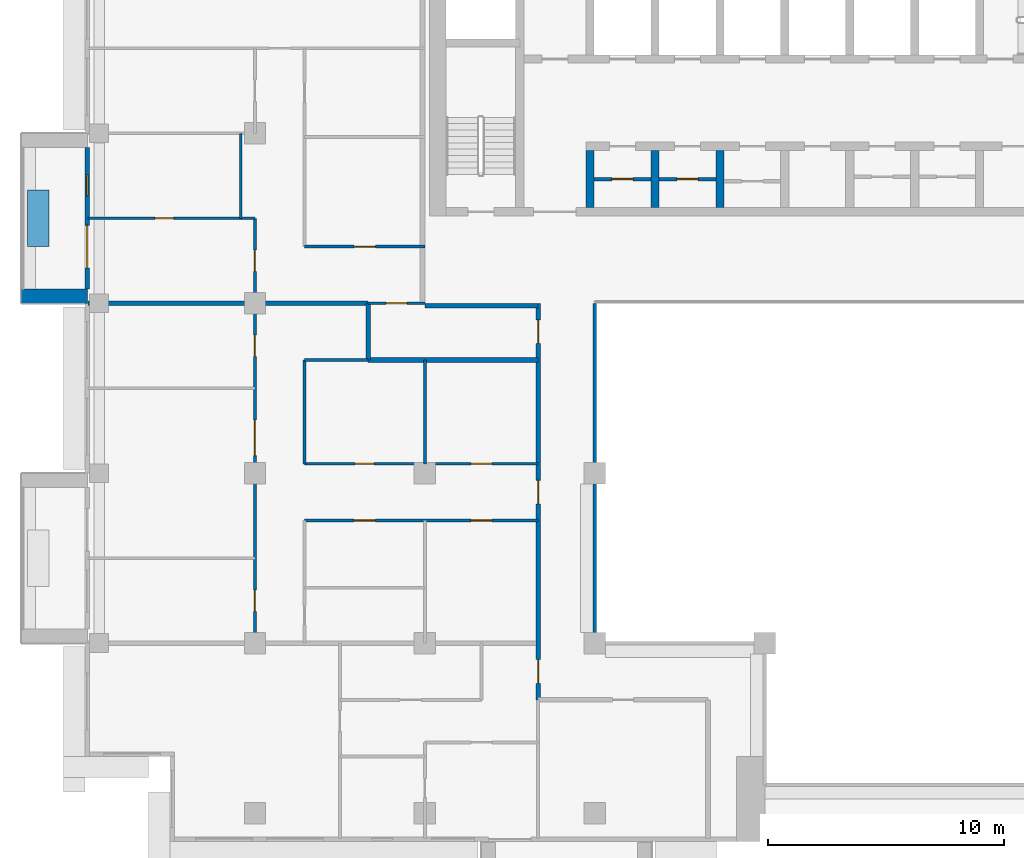
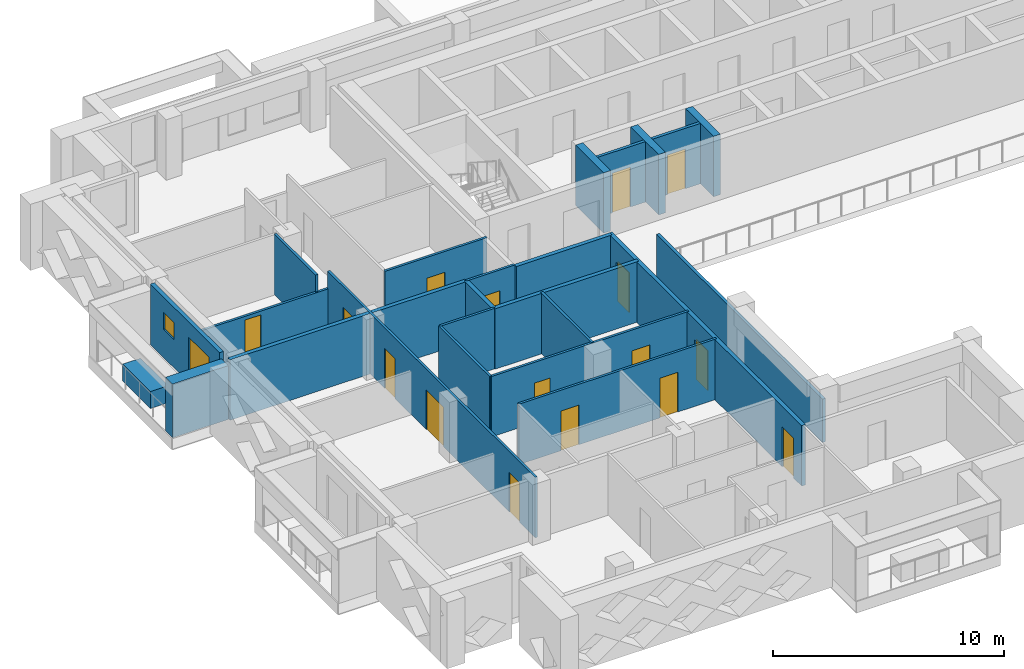
# One storey, part 7 of 20: 24 walls, 17 doors, 1 window, 18 openings.
"""IFC4 building model written with IfcOpenShell, lengths in metres."""

from ifc_helpers import new_model, si_unit, direction, frame, frame_2d, origin, place, context, subcontext, project, spatial, rectangle, extrude, material, layer, layer_set, type_object, element, fill, save


model = new_model("IFC4")

# Units and contexts
model_context = context("Model", 3, precision=1e-05, world=origin(), true_north=direction((0.0, 1.0)))
body_context = subcontext(model_context, "Body", "Model", "MODEL_VIEW")
ifc_project = project(units=[si_unit("LENGTHUNIT", "METRE"), si_unit("AREAUNIT", "SQUARE_METRE"), si_unit("VOLUMEUNIT", "CUBIC_METRE"), si_unit("PLANEANGLEUNIT", "RADIAN"), si_unit("MASSUNIT", "GRAM", prefix="KILO")], contexts=[model_context])

# Site, building, storey
site_placement = place(None, origin())
site = spatial("IfcSite", under=ifc_project, at=site_placement, CompositionType="ELEMENT")
building_placement = place(site_placement, origin())
building = spatial("IfcBuilding", under=site, at=building_placement, Name="Saffron Iwan Residences", CompositionType="ELEMENT")
storey_placement = place(building_placement, frame((0.0, 0.0, 195.5)))
storey = spatial("IfcBuildingStorey", under=building, at=storey_placement, Name="L52", CompositionType="ELEMENT", Elevation=195.5)

# Walls
ifc_material_1 = material(Name="Fire-rated glazing", Category="glass")
ifc_layer_1 = layer(ifc_material_1, 0.14990234375)
ifc_layer_set_1 = layer_set([ifc_layer_1], Name="Fire-rated glazing")
wall_type_1 = type_object("IfcWallType", Name="Atrium glazed screen 150", PredefinedType="SOLIDWALL", material=ifc_layer_set_1)
wall_1_placement = place(storey_placement, frame((36.0, 48.0, 0.0), z_axis=(0.0, 0.0, 1.0), x_axis=(0.0, 1.0, 0.0)))
element("IfcWall", 1, at=wall_1_placement, inside=storey, type_object=wall_type_1, Name="W-L52-SCREEN-v36-48", PredefinedType="SOLIDWALL", context=body_context, shape_type="SweptSolid", body=[
    extrude(rectangle(XDim=14.39990234375, YDim=0.14990234375, at=frame_2d((7.199951171875, 0.0))), origin(), (0.0, 0.0, 1.0), 2.300048828125),
])
ifc_material_2 = material(Name="Concrete C50/60 white painted", Category="concrete")
ifc_layer_2 = layer(ifc_material_2, 0.60009765625)
ifc_layer_set_2 = layer_set([ifc_layer_2], Name="Concrete C50/60 white painted")
wall_type_2 = type_object("IfcWallType", Name="BALCONY FIN 600", PredefinedType="SOLIDWALL", material=ifc_layer_set_2)
wall_2_placement = place(storey_placement, frame((14.5, 62.699951171875, 0.0), z_axis=(0.0, 0.0, 1.0), x_axis=(-1.0, 0.0, 0.0)))
element("IfcWall", 2, at=wall_2_placement, inside=storey, type_object=wall_type_2, Name="Balcony fin L52 F8-0b", PredefinedType="SOLIDWALL", context=body_context, shape_type="SweptSolid", body=[
    extrude(rectangle(XDim=2.800048828125, YDim=0.60009765625, at=frame_2d((1.39990234375, 0.0))), origin(), (0.0, 0.0, 1.0), 2.85009765625),
])
ifc_material_3 = material(Name="Concrete C35/45 white painted", Category="concrete")
ifc_layer_3 = layer(ifc_material_3, 0.14990234375)
ifc_layer_set_3 = layer_set([ifc_layer_3], Name="Concrete C35/45 white painted")
wall_type_3 = type_object("IfcWallType", Name="BALCONY PLANTER", PredefinedType="SOLIDWALL", material=ifc_layer_set_3)
wall_3_placement = place(storey_placement, frame((12.425048828125, 67.199951171875, 0.0), z_axis=(0.0, 0.0, 1.0), x_axis=(0.0, -1.0, 0.0)))
element("IfcWall", 3, at=wall_3_placement, inside=storey, type_object=wall_type_3, Name="PLANTER L52 F8-0", PredefinedType="SOLIDWALL", context=body_context, shape_type="SweptSolid", body=[
    extrude(rectangle(XDim=2.39990234375, YDim=0.89990234375, at=frame_2d((1.199951171875, 0.0))), origin(), (0.0, 0.0, 1.0), 0.89990234375),
])

# Wall, opening, door
ifc_material_4 = material(Name="Fire-rated plasterboard partition")
ifc_layer_4 = layer(ifc_material_4, 0.14990234375)
ifc_layer_set_4 = layer_set([ifc_layer_4], Name="Fire-rated plasterboard partition")
wall_type_4 = type_object("IfcWallType", Name="Core partition 150", PredefinedType="PARTITIONING", material=ifc_layer_set_4)
wall_4_placement = place(storey_placement, frame((35.97509765625, 67.66259765625, 0.0), z_axis=(0.0, 0.0, 1.0), x_axis=(1.0, 0.0, 0.0)))
wall_4 = element("IfcWall", 4, at=wall_4_placement, inside=storey, type_object=wall_type_4, Name="Core partition P01", PredefinedType="PARTITIONING", context=body_context, shape_type="SweptSolid", body=[
    extrude(rectangle(XDim=2.39990234375, YDim=0.14990234375, at=frame_2d((1.199951171875, 0.0))), origin(), (0.0, 0.0, 1.0), 3.199951171875),
])
opening_1_placement = place(wall_4_placement, frame((0.75, 0.0, 0.0)))
opening_1 = element("IfcOpeningElement", 5, at=opening_1_placement, cuts=wall_4, Name="Opening SB", PredefinedType="OPENING", context=body_context, shape_type="SweptSolid", body=[
    extrude(rectangle(XDim=0.89990234375, YDim=2.10009765625, at=frame_2d((0.449951171875, 1.050048828125))), frame((0.0, 0.0849609375, 0.0), z_axis=(0.0, -1.0, 0.0), x_axis=(1.0, 0.0, 0.0)), (0.0, 0.0, 1.0), 0.169921875),
])
ifc_material_5 = material(Name="Steel fire door", Category="steel")
door_type_1 = type_object("IfcDoorType", Name="Store door 900", OperationType="NOTDEFINED", PredefinedType="DOOR", material=ifc_material_5)
door_1_placement = place(opening_1_placement, origin())
door_1 = element("IfcDoor", 6, at=door_1_placement, inside=storey, type_object=door_type_1, Name="Door Spares store", OperationType="SINGLE_SWING_RIGHT", OverallHeight=2.10009765625, OverallWidth=0.89990234375, PredefinedType="DOOR", context=body_context, shape_type="SweptSolid", body=[
    extrude(rectangle(XDim=0.89990234375, YDim=2.10009765625, at=frame_2d((0.449951171875, 1.050048828125))), frame((0.0, 0.02490234375, 0.0), z_axis=(0.0, -1.0, 0.0), x_axis=(1.0, 0.0, 0.0)), (0.0, 0.0, 1.0), 0.050048828125),
])
fill(opening_1, door_1)

wall_5_placement = place(storey_placement, frame((38.72509765625, 67.66259765625, 0.0), z_axis=(0.0, 0.0, 1.0), x_axis=(1.0, 0.0, 0.0)))
wall_5 = element("IfcWall", 7, at=wall_5_placement, inside=storey, type_object=wall_type_4, Name="Core partition P02", PredefinedType="PARTITIONING", context=body_context, shape_type="SweptSolid", body=[
    extrude(rectangle(XDim=2.39990234375, YDim=0.14990234375, at=frame_2d((1.199951171875, 0.0))), origin(), (0.0, 0.0, 1.0), 3.199951171875),
])
opening_2_placement = place(wall_5_placement, frame((0.75, 0.0, 0.0)))
opening_2 = element("IfcOpeningElement", 8, at=opening_2_placement, cuts=wall_5, Name="Opening SB", PredefinedType="OPENING", context=body_context, shape_type="SweptSolid", body=[
    extrude(rectangle(XDim=0.89990234375, YDim=2.10009765625, at=frame_2d((0.449951171875, 1.050048828125))), frame((0.0, 0.0849609375, 0.0), z_axis=(0.0, -1.0, 0.0), x_axis=(1.0, 0.0, 0.0)), (0.0, 0.0, 1.0), 0.169921875),
])
door_2_placement = place(opening_2_placement, origin())
door_2 = element("IfcDoor", 9, at=door_2_placement, inside=storey, type_object=door_type_1, Name="Door Battery room", OperationType="SINGLE_SWING_LEFT", OverallHeight=2.10009765625, OverallWidth=0.89990234375, PredefinedType="DOOR", context=body_context, shape_type="SweptSolid", body=[
    extrude(rectangle(XDim=0.89990234375, YDim=2.10009765625, at=frame_2d((0.449951171875, 1.050048828125))), frame((0.0, 0.02490234375, 0.0), z_axis=(0.0, -1.0, 0.0), x_axis=(1.0, 0.0, 0.0)), (0.0, 0.0, 1.0), 0.050048828125),
])
fill(opening_2, door_2)

# Wall, openings, door, window
ifc_material_6 = material(Name="Concrete C40/50", Category="concrete")
ifc_layer_5 = layer(ifc_material_6, 0.199951171875)
ifc_layer_set_5 = layer_set([ifc_layer_5], Name="Concrete C40/50")
wall_type_5 = type_object("IfcWallType", Name="EXTERNAL WALL 200", PredefinedType="SOLIDWALL", material=ifc_layer_set_5)
wall_6_placement = place(storey_placement, frame((14.5, 69.0, 0.0), z_axis=(0.0, 0.0, 1.0), x_axis=(0.0, -1.0, 0.0)))
wall_6 = element("IfcWall", 10, at=wall_6_placement, inside=storey, type_object=wall_type_5, Name="External wall L52 F8.1", PredefinedType="SOLIDWALL", context=body_context, shape_type="SweptSolid", body=[
    extrude(rectangle(XDim=6.0, YDim=0.199951171875, at=frame_2d((3.0, 0.0))), origin(), (0.0, 0.0, 1.0), 3.199951171875),
])
opening_3_placement = place(wall_6_placement, frame((3.300048828125, 0.0, 0.0)))
opening_3 = element("IfcOpeningElement", 11, at=opening_3_placement, cuts=wall_6, Name="Opening BD1", PredefinedType="OPENING", context=body_context, shape_type="SweptSolid", body=[
    extrude(rectangle(XDim=1.800048828125, YDim=2.39990234375, at=frame_2d((0.89990234375, 1.199951171875))), frame((0.0, 0.10986328125, 0.0), z_axis=(0.0, -1.0, 0.0), x_axis=(1.0, 0.0, 0.0)), (0.0, 0.0, 1.0), 0.219970703125),
])
opening_4_placement = place(wall_6_placement, frame((1.14990234375, 0.0, 1.5)))
opening_4 = element("IfcOpeningElement", 12, at=opening_4_placement, cuts=wall_6, Name="Opening W6", PredefinedType="OPENING", context=body_context, shape_type="SweptSolid", body=[
    extrude(rectangle(XDim=0.89990234375, YDim=0.89990234375, at=frame_2d((0.449951171875, 0.449951171875))), frame((0.0, 0.10986328125, 0.0), z_axis=(0.0, -1.0, 0.0), x_axis=(1.0, 0.0, 0.0)), (0.0, 0.0, 1.0), 0.219970703125),
])
ifc_material_7 = material(Name="Clear glass, laminated double glazed", Category="glass")
door_type_2 = type_object("IfcDoorType", Name="BALCONY DOOR 1800 x 2400", OperationType="DOUBLE_DOOR_SLIDING", PredefinedType="DOOR", material=ifc_material_7)
door_3_placement = place(opening_3_placement, origin())
door_3 = element("IfcDoor", 13, at=door_3_placement, inside=storey, type_object=door_type_2, Name="Balcony door L52 F8.0", OperationType="DOUBLE_DOOR_SLIDING", OverallHeight=2.39990234375, OverallWidth=1.800048828125, PredefinedType="DOOR", context=body_context, shape_type="SweptSolid", body=[
    extrude(rectangle(XDim=1.800048828125, YDim=2.39990234375, at=frame_2d((0.89990234375, 1.199951171875))), frame((0.0, 0.02490234375, 0.0), z_axis=(0.0, -1.0, 0.0), x_axis=(1.0, 0.0, 0.0)), (0.0, 0.0, 1.0), 0.050048828125),
])
fill(opening_3, door_3)
window_type = type_object("IfcWindowType", Name="WINDOW 900 x 900 BATH", PartitioningType="SINGLE_PANEL", PredefinedType="WINDOW", material=ifc_material_7)
window_placement = place(opening_4_placement, origin())
window = element("IfcWindow", 14, at=window_placement, inside=storey, type_object=window_type, Name="Window L52 F8.1", OverallHeight=0.89990234375, OverallWidth=0.89990234375, PartitioningType="SINGLE_PANEL", PredefinedType="WINDOW", context=body_context, shape_type="SweptSolid", body=[
    extrude(rectangle(XDim=0.89990234375, YDim=0.89990234375, at=frame_2d((0.449951171875, 0.449951171875))), frame((0.0, 0.030029296875, 0.0), z_axis=(0.0, -1.0, 0.0), x_axis=(1.0, 0.0, 0.0)), (0.0, 0.0, 1.0), 0.06005859375),
])
fill(opening_4, window)

# Walls
ifc_material_8 = material(Name="Fire-rated gypsum board wall")
ifc_layer_6 = layer(ifc_material_8, 0.199951171875)
ifc_layer_set_6 = layer_set([ifc_layer_6], Name="Fire-rated gypsum board wall")
wall_type_6 = type_object("IfcWallType", Name="Flat demising wall 200", PredefinedType="SOLIDWALL", material=ifc_layer_set_6)
wall_7_placement = place(storey_placement, frame((26.39990234375, 60.0, 0.0), z_axis=(0.0, 0.0, 1.0), x_axis=(1.0, 0.0, 0.0)))
element("IfcWall", 15, at=wall_7_placement, inside=storey, type_object=wall_type_6, Name="W-L52-DEMISE-h60-26.4", PredefinedType="SOLIDWALL", context=body_context, shape_type="SweptSolid", body=[
    extrude(rectangle(XDim=7.2001953125, YDim=0.199951171875, at=frame_2d((3.60009765625, 0.0))), origin(), (0.0, 0.0, 1.0), 3.199951171875),
])
wall_8_placement = place(storey_placement, frame((14.52490234375, 62.39990234375, 0.0), z_axis=(0.0, 0.0, 1.0), x_axis=(1.0, 0.0, 0.0)))
element("IfcWall", 16, at=wall_8_placement, inside=storey, type_object=wall_type_6, Name="W-L52-DEMISE-h62.4-14.525", PredefinedType="SOLIDWALL", context=body_context, shape_type="SweptSolid", body=[
    extrude(rectangle(XDim=11.875, YDim=0.199951171875, at=frame_2d((5.9375, 0.0))), origin(), (0.0, 0.0, 1.0), 3.199951171875),
])
wall_9_placement = place(storey_placement, frame((26.39990234375, 60.0, 0.0), z_axis=(0.0, 0.0, 1.0), x_axis=(0.0, 1.0, 0.0)))
element("IfcWall", 17, at=wall_9_placement, inside=storey, type_object=wall_type_6, Name="W-L52-DEMISE-v26.4-60", PredefinedType="SOLIDWALL", context=body_context, shape_type="SweptSolid", body=[
    extrude(rectangle(XDim=2.39990234375, YDim=0.199951171875, at=frame_2d((1.199951171875, 0.0))), origin(), (0.0, 0.0, 1.0), 3.199951171875),
])

# Wall, openings, doors
ifc_material_9 = material(Name="Gypsum board partition")
ifc_layer_7 = layer(ifc_material_9, 0.1201171875)
ifc_layer_set_7 = layer_set([ifc_layer_7], Name="Gypsum board partition")
wall_type_7 = type_object("IfcWallType", Name="Flat partition 120", PredefinedType="PARTITIONING", material=ifc_layer_set_7)
wall_10_placement = place(storey_placement, frame((23.699951171875, 53.199951171875, 0.0), z_axis=(0.0, 0.0, 1.0), x_axis=(1.0, 0.0, 0.0)))
wall_10 = element("IfcWall", 18, at=wall_10_placement, inside=storey, type_object=wall_type_7, Name="W-L52-PART-h53.2-23.7", PredefinedType="PARTITIONING", context=body_context, shape_type="SweptSolid", body=[
    extrude(rectangle(XDim=9.900146484375, YDim=0.1201171875, at=frame_2d((4.9501953125, 0.0))), origin(), (0.0, 0.0, 1.0), 3.199951171875),
])
opening_5_placement = place(wall_10_placement, frame((2.10009765625, 0.0, 0.0)))
opening_5 = element("IfcOpeningElement", 19, at=opening_5_placement, cuts=wall_10, Name="Opening FD2", PredefinedType="OPENING", context=body_context, shape_type="SweptSolid", body=[
    extrude(rectangle(XDim=0.89990234375, YDim=2.10009765625, at=frame_2d((0.449951171875, 1.050048828125))), frame((0.0, 0.070068359375, 0.0), z_axis=(0.0, -1.0, 0.0), x_axis=(1.0, 0.0, 0.0)), (0.0, 0.0, 1.0), 0.14013671875),
])
opening_6_placement = place(wall_10_placement, frame((7.050048828125, 0.0, 0.0)))
opening_6 = element("IfcOpeningElement", 20, at=opening_6_placement, cuts=wall_10, Name="Opening FD2", PredefinedType="OPENING", context=body_context, shape_type="SweptSolid", body=[
    extrude(rectangle(XDim=0.89990234375, YDim=2.10009765625, at=frame_2d((0.449951171875, 1.050048828125))), frame((0.0, 0.070068359375, 0.0), z_axis=(0.0, -1.0, 0.0), x_axis=(1.0, 0.0, 0.0)), (0.0, 0.0, 1.0), 0.14013671875),
])
ifc_material_10 = material(Name="Timber door", Category="wood")
door_type_3 = type_object("IfcDoorType", Name="Flat door 900", OperationType="NOTDEFINED", PredefinedType="DOOR", material=ifc_material_10)
door_4_placement = place(opening_5_placement, origin())
door_4 = element("IfcDoor", 21, at=door_4_placement, inside=storey, type_object=door_type_3, Name="Door L52-012", OperationType="SINGLE_SWING_RIGHT", OverallHeight=2.10009765625, OverallWidth=0.89990234375, PredefinedType="DOOR", context=body_context, shape_type="SweptSolid", body=[
    extrude(rectangle(XDim=0.89990234375, YDim=2.10009765625, at=frame_2d((0.449951171875, 1.050048828125))), frame((0.0, 0.02490234375, 0.0), z_axis=(0.0, -1.0, 0.0), x_axis=(1.0, 0.0, 0.0)), (0.0, 0.0, 1.0), 0.050048828125),
])
fill(opening_5, door_4)
door_5_placement = place(opening_6_placement, origin())
door_5 = element("IfcDoor", 22, at=door_5_placement, inside=storey, type_object=door_type_3, Name="Door L52-014", OperationType="SINGLE_SWING_LEFT", OverallHeight=2.10009765625, OverallWidth=0.89990234375, PredefinedType="DOOR", context=body_context, shape_type="SweptSolid", body=[
    extrude(rectangle(XDim=0.89990234375, YDim=2.10009765625, at=frame_2d((0.449951171875, 1.050048828125))), frame((0.0, 0.02490234375, 0.0), z_axis=(0.0, -1.0, 0.0), x_axis=(1.0, 0.0, 0.0)), (0.0, 0.0, 1.0), 0.050048828125),
])
fill(opening_6, door_5)

wall_11_placement = place(storey_placement, frame((23.699951171875, 55.60009765625, 0.0), z_axis=(0.0, 0.0, 1.0), x_axis=(1.0, 0.0, 0.0)))
wall_11 = element("IfcWall", 23, at=wall_11_placement, inside=storey, type_object=wall_type_7, Name="W-L52-PART-h55.6-23.7", PredefinedType="PARTITIONING", context=body_context, shape_type="SweptSolid", body=[
    extrude(rectangle(XDim=9.900146484375, YDim=0.1201171875, at=frame_2d((4.9501953125, 0.0))), origin(), (0.0, 0.0, 1.0), 3.199951171875),
])
opening_7_placement = place(wall_11_placement, frame((2.14990234375, 0.0, 0.0)))
opening_7 = element("IfcOpeningElement", 24, at=opening_7_placement, cuts=wall_11, Name="Opening FD3", PredefinedType="OPENING", context=body_context, shape_type="SweptSolid", body=[
    extrude(rectangle(XDim=0.800048828125, YDim=2.10009765625, at=frame_2d((0.39990234375, 1.050048828125))), frame((0.0, 0.070068359375, 0.0), z_axis=(0.0, -1.0, 0.0), x_axis=(1.0, 0.0, 0.0)), (0.0, 0.0, 1.0), 0.14013671875),
])
opening_8_placement = place(wall_11_placement, frame((7.050048828125, 0.0, 0.0)))
opening_8 = element("IfcOpeningElement", 25, at=opening_8_placement, cuts=wall_11, Name="Opening FD2", PredefinedType="OPENING", context=body_context, shape_type="SweptSolid", body=[
    extrude(rectangle(XDim=0.89990234375, YDim=2.10009765625, at=frame_2d((0.449951171875, 1.050048828125))), frame((0.0, 0.070068359375, 0.0), z_axis=(0.0, -1.0, 0.0), x_axis=(1.0, 0.0, 0.0)), (0.0, 0.0, 1.0), 0.14013671875),
])
door_type_4 = type_object("IfcDoorType", Name="Bathroom door 800", OperationType="NOTDEFINED", PredefinedType="DOOR", material=ifc_material_10)
door_6_placement = place(opening_7_placement, origin())
door_6 = element("IfcDoor", 26, at=door_6_placement, inside=storey, type_object=door_type_4, Name="Door L52-013", OperationType="SINGLE_SWING_LEFT", OverallHeight=2.10009765625, OverallWidth=0.800048828125, PredefinedType="DOOR", context=body_context, shape_type="SweptSolid", body=[
    extrude(rectangle(XDim=0.800048828125, YDim=2.10009765625, at=frame_2d((0.39990234375, 1.050048828125))), frame((0.0, 0.02490234375, 0.0), z_axis=(0.0, -1.0, 0.0), x_axis=(1.0, 0.0, 0.0)), (0.0, 0.0, 1.0), 0.050048828125),
])
fill(opening_7, door_6)
door_7_placement = place(opening_8_placement, origin())
door_7 = element("IfcDoor", 27, at=door_7_placement, inside=storey, type_object=door_type_3, Name="Door L52-015", OperationType="SINGLE_SWING_RIGHT", OverallHeight=2.10009765625, OverallWidth=0.89990234375, PredefinedType="DOOR", context=body_context, shape_type="SweptSolid", body=[
    extrude(rectangle(XDim=0.89990234375, YDim=2.10009765625, at=frame_2d((0.449951171875, 1.050048828125))), frame((0.0, 0.02490234375, 0.0), z_axis=(0.0, -1.0, 0.0), x_axis=(1.0, 0.0, 0.0)), (0.0, 0.0, 1.0), 0.050048828125),
])
fill(opening_8, door_7)

# Wall
wall_12_placement = place(storey_placement, frame((23.699951171875, 60.0, 0.0), z_axis=(0.0, 0.0, 1.0), x_axis=(1.0, 0.0, 0.0)))
element("IfcWall", 28, at=wall_12_placement, inside=storey, type_object=wall_type_7, Name="W-L52-PART-h60-23.7", PredefinedType="PARTITIONING", context=body_context, shape_type="SweptSolid", body=[
    extrude(rectangle(XDim=2.699951171875, YDim=0.1201171875, at=frame_2d((1.35009765625, 0.0))), origin(), (0.0, 0.0, 1.0), 3.199951171875),
])

# Wall, opening, door
wall_13_placement = place(storey_placement, frame((26.39990234375, 62.39990234375, 0.0), z_axis=(0.0, 0.0, 1.0), x_axis=(1.0, 0.0, 0.0)))
wall_13 = element("IfcWall", 29, at=wall_13_placement, inside=storey, type_object=wall_type_7, Name="W-L52-PART-h62.4-26.4", PredefinedType="PARTITIONING", context=body_context, shape_type="SweptSolid", body=[
    extrude(rectangle(XDim=2.400146484375, YDim=0.1201171875, at=frame_2d((1.2001953125, 0.0))), origin(), (0.0, 0.0, 1.0), 3.199951171875),
])
opening_9_placement = place(wall_13_placement, frame((0.75, 0.0, 0.0)))
opening_9 = element("IfcOpeningElement", 30, at=opening_9_placement, cuts=wall_13, Name="Opening FD2", PredefinedType="OPENING", context=body_context, shape_type="SweptSolid", body=[
    extrude(rectangle(XDim=0.89990234375, YDim=2.10009765625, at=frame_2d((0.449951171875, 1.050048828125))), frame((0.0, 0.070068359375, 0.0), z_axis=(0.0, -1.0, 0.0), x_axis=(1.0, 0.0, 0.0)), (0.0, 0.0, 1.0), 0.14013671875),
])
door_8_placement = place(opening_9_placement, origin())
door_8 = element("IfcDoor", 31, at=door_8_placement, inside=storey, type_object=door_type_3, Name="Door L52-024", OperationType="SINGLE_SWING_RIGHT", OverallHeight=2.10009765625, OverallWidth=0.89990234375, PredefinedType="DOOR", context=body_context, shape_type="SweptSolid", body=[
    extrude(rectangle(XDim=0.89990234375, YDim=2.10009765625, at=frame_2d((0.449951171875, 1.050048828125))), frame((0.0, 0.02490234375, 0.0), z_axis=(0.0, -1.0, 0.0), x_axis=(1.0, 0.0, 0.0)), (0.0, 0.0, 1.0), 0.050048828125),
])
fill(opening_9, door_8)

wall_14_placement = place(storey_placement, frame((23.699951171875, 64.800048828125, 0.0), z_axis=(0.0, 0.0, 1.0), x_axis=(1.0, 0.0, 0.0)))
wall_14 = element("IfcWall", 32, at=wall_14_placement, inside=storey, type_object=wall_type_7, Name="W-L52-PART-h64.8-23.7", PredefinedType="PARTITIONING", context=body_context, shape_type="SweptSolid", body=[
    extrude(rectangle(XDim=5.10009765625, YDim=0.1201171875, at=frame_2d((2.550048828125, 0.0))), origin(), (0.0, 0.0, 1.0), 3.199951171875),
])
opening_10_placement = place(wall_14_placement, frame((2.10009765625, 0.0, 0.0)))
opening_10 = element("IfcOpeningElement", 33, at=opening_10_placement, cuts=wall_14, Name="Opening FD2", PredefinedType="OPENING", context=body_context, shape_type="SweptSolid", body=[
    extrude(rectangle(XDim=0.89990234375, YDim=2.10009765625, at=frame_2d((0.449951171875, 1.050048828125))), frame((0.0, 0.070068359375, 0.0), z_axis=(0.0, -1.0, 0.0), x_axis=(1.0, 0.0, 0.0)), (0.0, 0.0, 1.0), 0.14013671875),
])
door_9_placement = place(opening_10_placement, origin())
door_9 = element("IfcDoor", 34, at=door_9_placement, inside=storey, type_object=door_type_3, Name="Door L52-030", OperationType="SINGLE_SWING_RIGHT", OverallHeight=2.10009765625, OverallWidth=0.89990234375, PredefinedType="DOOR", context=body_context, shape_type="SweptSolid", body=[
    extrude(rectangle(XDim=0.89990234375, YDim=2.10009765625, at=frame_2d((0.449951171875, 1.050048828125))), frame((0.0, 0.02490234375, 0.0), z_axis=(0.0, -1.0, 0.0), x_axis=(1.0, 0.0, 0.0)), (0.0, 0.0, 1.0), 0.050048828125),
])
fill(opening_10, door_9)

wall_15_placement = place(storey_placement, frame((14.52490234375, 66.0, 0.0), z_axis=(0.0, 0.0, 1.0), x_axis=(1.0, 0.0, 0.0)))
wall_15 = element("IfcWall", 35, at=wall_15_placement, inside=storey, type_object=wall_type_7, Name="W-L52-PART-h66-14.525", PredefinedType="PARTITIONING", context=body_context, shape_type="SweptSolid", body=[
    extrude(rectangle(XDim=7.0751953125, YDim=0.1201171875, at=frame_2d((3.53759765625, 0.0))), origin(), (0.0, 0.0, 1.0), 2.300048828125),
])
opening_11_placement = place(wall_15_placement, frame((2.83740234375, 0.0, 0.0)))
opening_11 = element("IfcOpeningElement", 36, at=opening_11_placement, cuts=wall_15, Name="Opening FD3", PredefinedType="OPENING", context=body_context, shape_type="SweptSolid", body=[
    extrude(rectangle(XDim=0.800048828125, YDim=2.10009765625, at=frame_2d((0.39990234375, 1.050048828125))), frame((0.0, 0.070068359375, 0.0), z_axis=(0.0, -1.0, 0.0), x_axis=(1.0, 0.0, 0.0)), (0.0, 0.0, 1.0), 0.14013671875),
])
door_10_placement = place(opening_11_placement, origin())
door_10 = element("IfcDoor", 37, at=door_10_placement, inside=storey, type_object=door_type_4, Name="Door L52-027", OperationType="SINGLE_SWING_RIGHT", OverallHeight=2.10009765625, OverallWidth=0.800048828125, PredefinedType="DOOR", context=body_context, shape_type="SweptSolid", body=[
    extrude(rectangle(XDim=0.800048828125, YDim=2.10009765625, at=frame_2d((0.39990234375, 1.050048828125))), frame((0.0, 0.02490234375, 0.0), z_axis=(0.0, -1.0, 0.0), x_axis=(1.0, 0.0, 0.0)), (0.0, 0.0, 1.0), 0.050048828125),
])
fill(opening_11, door_10)

# Wall
wall_16_placement = place(storey_placement, frame((21.0, 66.0, 0.0), z_axis=(0.0, 0.0, 1.0), x_axis=(0.0, 1.0, 0.0)))
element("IfcWall", 38, at=wall_16_placement, inside=storey, type_object=wall_type_7, Name="W-L52-PART-v21-66", PredefinedType="PARTITIONING", context=body_context, shape_type="SweptSolid", body=[
    extrude(rectangle(XDim=3.60009765625, YDim=0.1201171875, at=frame_2d((1.800048828125, 0.0))), origin(), (0.0, 0.0, 1.0), 3.199951171875),
])

# Wall, openings, doors
wall_17_placement = place(storey_placement, frame((21.60009765625, 48.0, 0.0), z_axis=(0.0, 0.0, 1.0), x_axis=(0.0, 1.0, 0.0)))
wall_17 = element("IfcWall", 39, at=wall_17_placement, inside=storey, type_object=wall_type_7, Name="W-L52-PART-v21.6-48", PredefinedType="PARTITIONING", context=body_context, shape_type="SweptSolid", body=[
    extrude(rectangle(XDim=18.0, YDim=0.1201171875, at=frame_2d((9.0, 0.0))), origin(), (0.0, 0.0, 1.0), 3.199951171875),
])
opening_12_placement = place(wall_17_placement, frame((1.35009765625, 0.0, 0.0)))
opening_12 = element("IfcOpeningElement", 40, at=opening_12_placement, cuts=wall_17, Name="Opening FD2", PredefinedType="OPENING", context=body_context, shape_type="SweptSolid", body=[
    extrude(rectangle(XDim=0.89990234375, YDim=2.10009765625, at=frame_2d((0.449951171875, 1.050048828125))), frame((0.0, 0.070068359375, 0.0), z_axis=(0.0, -1.0, 0.0), x_axis=(1.0, 0.0, 0.0)), (0.0, 0.0, 1.0), 0.14013671875),
])
opening_13_placement = place(wall_17_placement, frame((7.949951171875, 0.0, 0.0)))
opening_13 = element("IfcOpeningElement", 41, at=opening_13_placement, cuts=wall_17, Name="Opening FD4", PredefinedType="OPENING", context=body_context, shape_type="SweptSolid", body=[
    extrude(rectangle(XDim=1.5, YDim=2.10009765625, at=frame_2d((0.75, 1.050048828125))), frame((0.0, 0.070068359375, 0.0), z_axis=(0.0, -1.0, 0.0), x_axis=(1.0, 0.0, 0.0)), (0.0, 0.0, 1.0), 0.14013671875),
])
opening_14_placement = place(wall_17_placement, frame((12.14990234375, 0.0, 0.0)))
opening_14 = element("IfcOpeningElement", 42, at=opening_14_placement, cuts=wall_17, Name="Opening FD2", PredefinedType="OPENING", context=body_context, shape_type="SweptSolid", body=[
    extrude(rectangle(XDim=0.89990234375, YDim=2.10009765625, at=frame_2d((0.449951171875, 1.050048828125))), frame((0.0, 0.070068359375, 0.0), z_axis=(0.0, -1.0, 0.0), x_axis=(1.0, 0.0, 0.0)), (0.0, 0.0, 1.0), 0.14013671875),
])
opening_15_placement = place(wall_17_placement, frame((15.75, 0.0, 0.0)))
opening_15 = element("IfcOpeningElement", 43, at=opening_15_placement, cuts=wall_17, Name="Opening FD2", PredefinedType="OPENING", context=body_context, shape_type="SweptSolid", body=[
    extrude(rectangle(XDim=0.89990234375, YDim=2.10009765625, at=frame_2d((0.449951171875, 1.050048828125))), frame((0.0, 0.070068359375, 0.0), z_axis=(0.0, -1.0, 0.0), x_axis=(1.0, 0.0, 0.0)), (0.0, 0.0, 1.0), 0.14013671875),
])
door_type_5 = type_object("IfcDoorType", Name="Double door 1500", OperationType="NOTDEFINED", PredefinedType="DOOR", material=ifc_material_10)
door_11_placement = place(opening_13_placement, origin())
door_11 = element("IfcDoor", 44, at=door_11_placement, inside=storey, type_object=door_type_5, Name="Door L52-009", OperationType="SINGLE_SWING_LEFT", OverallHeight=2.10009765625, OverallWidth=1.5, PredefinedType="DOOR", context=body_context, shape_type="SweptSolid", body=[
    extrude(rectangle(XDim=1.5, YDim=2.10009765625, at=frame_2d((0.75, 1.050048828125))), frame((0.0, 0.02490234375, 0.0), z_axis=(0.0, -1.0, 0.0), x_axis=(1.0, 0.0, 0.0)), (0.0, 0.0, 1.0), 0.050048828125),
])
fill(opening_13, door_11)
door_12_placement = place(opening_12_placement, origin())
door_12 = element("IfcDoor", 45, at=door_12_placement, inside=storey, type_object=door_type_3, Name="Door L52-008", OperationType="SINGLE_SWING_LEFT", OverallHeight=2.10009765625, OverallWidth=0.89990234375, PredefinedType="DOOR", context=body_context, shape_type="SweptSolid", body=[
    extrude(rectangle(XDim=0.89990234375, YDim=2.10009765625, at=frame_2d((0.449951171875, 1.050048828125))), frame((0.0, 0.02490234375, 0.0), z_axis=(0.0, -1.0, 0.0), x_axis=(1.0, 0.0, 0.0)), (0.0, 0.0, 1.0), 0.050048828125),
])
fill(opening_12, door_12)
door_13_placement = place(opening_14_placement, origin())
door_13 = element("IfcDoor", 46, at=door_13_placement, inside=storey, type_object=door_type_3, Name="Door L52-010", OperationType="SINGLE_SWING_LEFT", OverallHeight=2.10009765625, OverallWidth=0.89990234375, PredefinedType="DOOR", context=body_context, shape_type="SweptSolid", body=[
    extrude(rectangle(XDim=0.89990234375, YDim=2.10009765625, at=frame_2d((0.449951171875, 1.050048828125))), frame((0.0, 0.02490234375, 0.0), z_axis=(0.0, -1.0, 0.0), x_axis=(1.0, 0.0, 0.0)), (0.0, 0.0, 1.0), 0.050048828125),
])
fill(opening_14, door_13)
door_14_placement = place(opening_15_placement, origin())
door_14 = element("IfcDoor", 47, at=door_14_placement, inside=storey, type_object=door_type_3, Name="Door L52-026", OperationType="SINGLE_SWING_LEFT", OverallHeight=2.10009765625, OverallWidth=0.89990234375, PredefinedType="DOOR", context=body_context, shape_type="SweptSolid", body=[
    extrude(rectangle(XDim=0.89990234375, YDim=2.10009765625, at=frame_2d((0.449951171875, 1.050048828125))), frame((0.0, 0.02490234375, 0.0), z_axis=(0.0, -1.0, 0.0), x_axis=(1.0, 0.0, 0.0)), (0.0, 0.0, 1.0), 0.050048828125),
])
fill(opening_15, door_14)

# Walls
for number, where, z_axis, x_axis, name in (
    (48, (23.699951171875, 55.60009765625, 0.0), (0.0, 0.0, 1.0), (0.0, 1.0, 0.0), "W-L52-PART-v23.7-55.6"),
    (49, (28.800048828125, 55.60009765625, 0.0), (0.0, 0.0, 1.0), (0.0, 1.0, 0.0), "W-L52-PART-v28.8-55.6"),
):
    element("IfcWall", number, at=place(storey_placement, frame(where, z_axis=z_axis, x_axis=x_axis)), inside=storey, type_object=wall_type_7, Name=name, PredefinedType="PARTITIONING", context=body_context, shape_type="SweptSolid", body=[
        extrude(rectangle(XDim=4.39990234375, YDim=0.1201171875, at=frame_2d((2.199951171875, 0.0))), origin(), (0.0, 0.0, 1.0), 3.199951171875),
    ])
ifc_layer_8 = layer(ifc_material_8, 0.199951171875)
ifc_layer_set_8 = layer_set([ifc_layer_8], Name="Fire-rated gypsum board wall")
wall_type_8 = type_object("IfcWallType", Name="Gallery wall 200", PredefinedType="SOLIDWALL", material=ifc_layer_set_8)
wall_18_placement = place(storey_placement, frame((28.800048828125, 62.300048828125, 0.0), z_axis=(0.0, 0.0, 1.0), x_axis=(1.0, 0.0, 0.0)))
element("IfcWall", 50, at=wall_18_placement, inside=storey, type_object=wall_type_8, Name="W-L52-CORR-h62.4-28.8", PredefinedType="SOLIDWALL", context=body_context, shape_type="SweptSolid", body=[
    extrude(rectangle(XDim=4.800048828125, YDim=0.199951171875, at=frame_2d((2.39990234375, 0.0))), origin(), (0.0, 0.0, 1.0), 3.199951171875),
])

# Wall, openings, doors
wall_19_placement = place(storey_placement, frame((33.60009765625, 45.60009765625, 0.0), z_axis=(0.0, 0.0, 1.0), x_axis=(0.0, 1.0, 0.0)))
wall_19 = element("IfcWall", 51, at=wall_19_placement, inside=storey, type_object=wall_type_8, Name="W-L52-CORR-v33.6-45.6", PredefinedType="SOLIDWALL", context=body_context, shape_type="SweptSolid", body=[
    extrude(rectangle(XDim=16.7998046875, YDim=0.199951171875, at=frame_2d((8.39990234375, 0.0))), origin(), (0.0, 0.0, 1.0), 3.199951171875),
])
opening_16_placement = place(wall_19_placement, frame((0.699951171875, 0.0, 0.0)))
opening_16 = element("IfcOpeningElement", 52, at=opening_16_placement, cuts=wall_19, Name="Opening FD1", PredefinedType="OPENING", context=body_context, shape_type="SweptSolid", body=[
    extrude(rectangle(XDim=1.0, YDim=2.10009765625, at=frame_2d((0.5, 1.050048828125))), frame((0.0, 0.10986328125, 0.0), z_axis=(0.0, -1.0, 0.0), x_axis=(1.0, 0.0, 0.0)), (0.0, 0.0, 1.0), 0.219970703125),
])
opening_17_placement = place(wall_19_placement, frame((8.300048828125, 0.0, 0.0)))
opening_17 = element("IfcOpeningElement", 53, at=opening_17_placement, cuts=wall_19, Name="Opening FD1", PredefinedType="OPENING", context=body_context, shape_type="SweptSolid", body=[
    extrude(rectangle(XDim=1.0, YDim=2.10009765625, at=frame_2d((0.5, 1.050048828125))), frame((0.0, 0.10986328125, 0.0), z_axis=(0.0, -1.0, 0.0), x_axis=(1.0, 0.0, 0.0)), (0.0, 0.0, 1.0), 0.219970703125),
])
opening_18_placement = place(wall_19_placement, frame((15.10009765625, 0.0, 0.0)))
opening_18 = element("IfcOpeningElement", 54, at=opening_18_placement, cuts=wall_19, Name="Opening FD5", PredefinedType="OPENING", context=body_context, shape_type="SweptSolid", body=[
    extrude(rectangle(XDim=1.0, YDim=2.10009765625, at=frame_2d((0.5, 1.050048828125))), frame((0.0, 0.10986328125, 0.0), z_axis=(0.0, -1.0, 0.0), x_axis=(1.0, 0.0, 0.0)), (0.0, 0.0, 1.0), 0.219970703125),
])
ifc_material_11 = material(Name="Fire-rated timber door", Category="wood")
door_type_6 = type_object("IfcDoorType", Name="FD30S flat entrance door 1000", OperationType="NOTDEFINED", PredefinedType="DOOR", material=ifc_material_11)
door_15_placement = place(opening_16_placement, origin())
door_15 = element("IfcDoor", 55, at=door_15_placement, inside=storey, type_object=door_type_6, Name="Door L52-001", OperationType="SINGLE_SWING_LEFT", OverallHeight=2.10009765625, OverallWidth=1.0, PredefinedType="DOOR", context=body_context, shape_type="SweptSolid", body=[
    extrude(rectangle(XDim=1.0, YDim=2.10009765625, at=frame_2d((0.5, 1.050048828125))), frame((0.0, 0.02490234375, 0.0), z_axis=(0.0, -1.0, 0.0), x_axis=(1.0, 0.0, 0.0)), (0.0, 0.0, 1.0), 0.050048828125),
])
fill(opening_16, door_15)
door_16_placement = place(opening_17_placement, origin())
door_16 = element("IfcDoor", 56, at=door_16_placement, inside=storey, type_object=door_type_6, Name="Door L52-007", OperationType="SINGLE_SWING_LEFT", OverallHeight=2.10009765625, OverallWidth=1.0, PredefinedType="DOOR", context=body_context, shape_type="SweptSolid", body=[
    extrude(rectangle(XDim=1.0, YDim=2.10009765625, at=frame_2d((0.5, 1.050048828125))), frame((0.0, 0.02490234375, 0.0), z_axis=(0.0, -1.0, 0.0), x_axis=(1.0, 0.0, 0.0)), (0.0, 0.0, 1.0), 0.050048828125),
])
fill(opening_17, door_16)
door_type_7 = type_object("IfcDoorType", Name="Lobby door 1000", OperationType="NOTDEFINED", PredefinedType="DOOR", material=ifc_material_11)
door_17_placement = place(opening_18_placement, origin())
door_17 = element("IfcDoor", 57, at=door_17_placement, inside=storey, type_object=door_type_7, Name="Door L52-025", OperationType="SINGLE_SWING_LEFT", OverallHeight=2.10009765625, OverallWidth=1.0, PredefinedType="DOOR", context=body_context, shape_type="SweptSolid", body=[
    extrude(rectangle(XDim=1.0, YDim=2.10009765625, at=frame_2d((0.5, 1.050048828125))), frame((0.0, 0.02490234375, 0.0), z_axis=(0.0, -1.0, 0.0), x_axis=(1.0, 0.0, 0.0)), (0.0, 0.0, 1.0), 0.050048828125),
])
fill(opening_18, door_17)

# Walls
ifc_material_12 = material(Name="Concrete C50/60", Category="concrete")
ifc_layer_9 = layer(ifc_material_12, 0.35009765625)
ifc_layer_set_9 = layer_set([ifc_layer_9], Name="Concrete C50/60")
wall_type_9 = type_object("IfcWallType", Name="WALL CORE 350 C50/60 3200 HIGH", PredefinedType="SHEAR", material=ifc_layer_set_9)
for number, where, z_axis, x_axis, name in (
    (58, (35.800048828125, 66.449951171875, 0.0), (0.0, 0.0, 1.0), (0.0, 1.0, 0.0), "Core wall"),
    (59, (38.550048828125, 66.449951171875, 0.0), (0.0, 0.0, 1.0), (0.0, 1.0, 0.0), "Core wall"),
    (60, (41.300048828125, 66.449951171875, 0.0), (0.0, 0.0, 1.0), (0.0, 1.0, 0.0), "Core wall"),
):
    element("IfcWall", number, at=place(storey_placement, frame(where, z_axis=z_axis, x_axis=x_axis)), inside=storey, type_object=wall_type_9, Name=name, PredefinedType="SHEAR", context=body_context, shape_type="SweptSolid", body=[
        extrude(rectangle(XDim=2.425048828125, YDim=0.35009765625, at=frame_2d((1.21240234375, 0.0))), origin(), (0.0, 0.0, 1.0), 3.199951171875),
    ])

save(model, "model.ifc")
